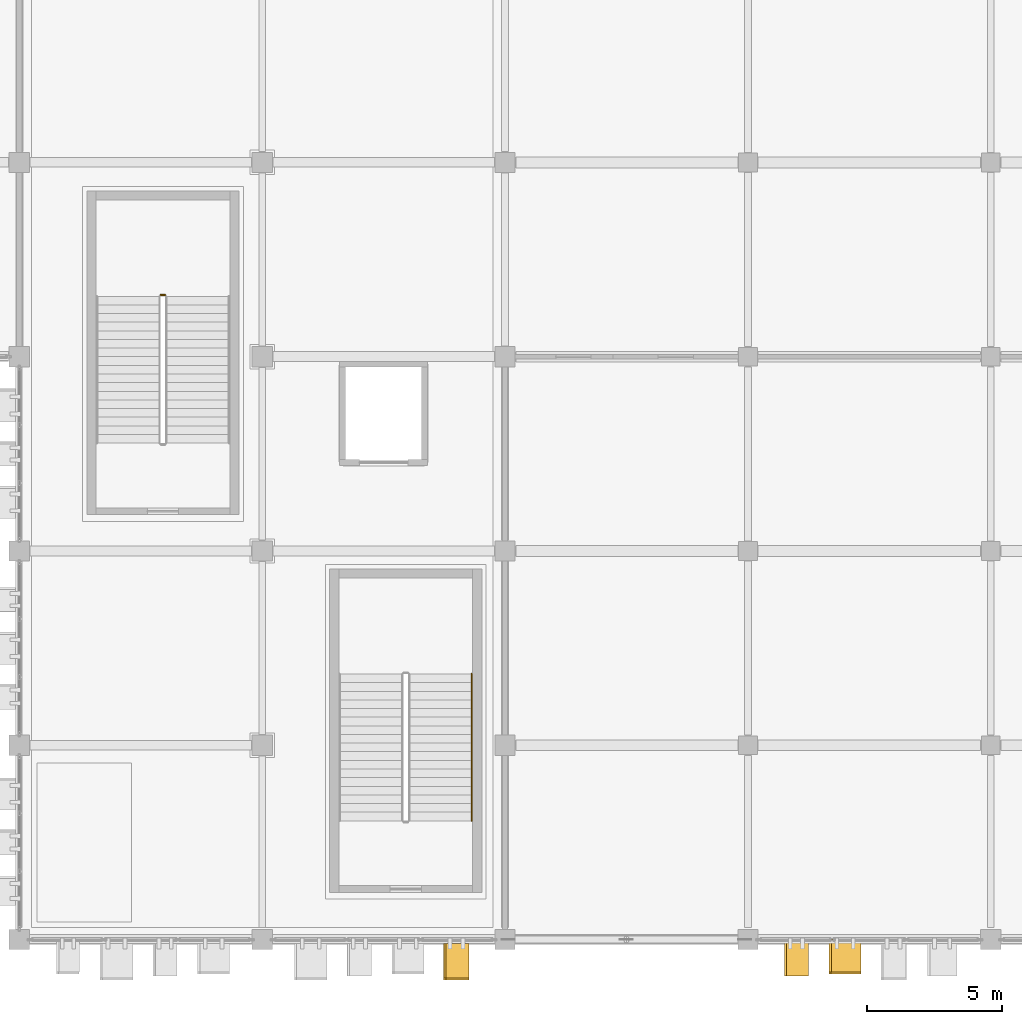
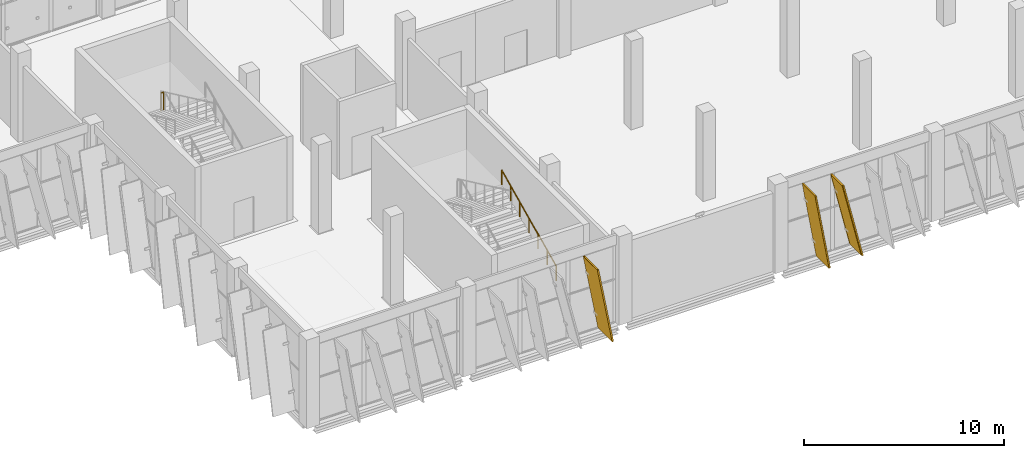
# One storey, part 167 of 189: 3 coverings, 3 shading devices, 2 railings.
"""IFC4 building model written with IfcOpenShell, lengths in metres."""

from ifc_helpers import new_model, si_unit, direction, frame, origin, origin_2d, place, context, subcontext, project, spatial, rectangle, circle, extrude, material, layer, layer_set, material_profile, profile_set, type_object, element, save


model = new_model("IFC4")

# Units and contexts
model_context = context("Model", 3, precision=1e-05, world=origin(), true_north=direction((0.0, 1.0)))
body_context = subcontext(model_context, "Body", "Model", "MODEL_VIEW")
ifc_project = project(units=[si_unit("LENGTHUNIT", "METRE"), si_unit("AREAUNIT", "SQUARE_METRE"), si_unit("VOLUMEUNIT", "CUBIC_METRE"), si_unit("PLANEANGLEUNIT", "RADIAN"), si_unit("MASSUNIT", "GRAM", prefix="KILO")], contexts=[model_context])

# Site, building, storey
site_placement = place(None, origin())
site = spatial("IfcSite", under=ifc_project, at=site_placement, CompositionType="ELEMENT")
building_placement = place(site_placement, origin())
building = spatial("IfcBuilding", under=site, at=building_placement, Name="Celestram Park Convention Centre", CompositionType="ELEMENT")
storey_placement = place(building_placement, frame((0.0, 0.0, 5.39990234375)))
storey = spatial("IfcBuildingStorey", under=building, at=storey_placement, Name="L01", CompositionType="ELEMENT", Elevation=5.39990234375)

# Coverings
ifc_material_1 = material(Name="Timber-Toned Anodised Aluminium Alloy 6063-T6", Category="wood")
ifc_material_profile_1 = material_profile(ifc_material_1, rectangle(XDim=1.1201171875, YDim=0.090087890625, at=origin_2d()), Name="REED1120X90")
ifc_profile_set_1 = profile_set([ifc_material_profile_1], Name="Timber-Toned Anodised Aluminium Alloy 6063-T6")
covering_type_1 = type_object("IfcCoveringType", Name="ARC-COV-FIN1120", PredefinedType="CLADDING", material=ifc_profile_set_1)
covering_1_placement = place(storey_placement, frame((175.15087890625, -0.639892578125, 0.06982421875), z_axis=(-0.231766325176, 0.0, 0.972771489361), x_axis=(0.0, -1.0, 0.0)))
element("IfcCovering", 1, at=covering_1_placement, inside=storey, type_object=covering_type_1, Name="Leaning timber-toned reed fin RFN-L01-0338", PredefinedType="CLADDING", context=body_context, shape_type="SweptSolid", body=[
    extrude(rectangle(XDim=1.1201171875, YDim=0.090087890625, at=origin_2d()), origin(), (0.0, 0.0, 1.0), 4.75390625),
])
ifc_material_profile_2 = material_profile(ifc_material_1, rectangle(XDim=1.280029296875, YDim=0.090087890625, at=origin_2d()), Name="REED1280X90")
ifc_profile_set_2 = profile_set([ifc_material_profile_2], Name="Timber-Toned Anodised Aluminium Alloy 6063-T6")
covering_type_2 = type_object("IfcCoveringType", Name="ARC-COV-FIN1280", PredefinedType="CLADDING", material=ifc_profile_set_2)
covering_2_placement = place(storey_placement, frame((173.20458984375, -0.719970703125, 0.039794921875), z_axis=(-0.170192389469, 0.0, 0.985410853688), x_axis=(0.0, -1.0, 0.0)))
element("IfcCovering", 2, at=covering_2_placement, inside=storey, type_object=covering_type_2, Name="Leaning timber-toned reed fin RFN-L01-0339", PredefinedType="CLADDING", context=body_context, shape_type="SweptSolid", body=[
    extrude(rectangle(XDim=1.280029296875, YDim=0.090087890625, at=origin_2d()), origin(), (0.0, 0.0, 1.0), 4.75390625),
])
ifc_material_profile_3 = material_profile(ifc_material_1, rectangle(XDim=1.419921875, YDim=0.090087890625, at=origin_2d()), Name="REED1420X90")
ifc_profile_set_3 = profile_set([ifc_material_profile_3], Name="Timber-Toned Anodised Aluminium Alloy 6063-T6")
covering_type_3 = type_object("IfcCoveringType", Name="ARC-COV-FIN1420", PredefinedType="CLADDING", material=ifc_profile_set_3)
covering_3_placement = place(storey_placement, frame((160.629150390625, -0.7900390625, 0.044189453125), z_axis=(-0.180516672672, 0.0, 0.983571924613), x_axis=(0.0, -1.0, 0.0)))
element("IfcCovering", 3, at=covering_3_placement, inside=storey, type_object=covering_type_3, Name="Leaning timber-toned reed fin RFN-L01-0340", PredefinedType="CLADDING", context=body_context, shape_type="SweptSolid", body=[
    extrude(rectangle(XDim=1.419921875, YDim=0.090087890625, at=origin_2d()), origin(), (0.0, 0.0, 1.0), 4.75390625),
])

# Shading devices
ifc_material_2 = material(Name="Anodised Bronze Aluminium Alloy 6063-T6", Category="aluminium")
ifc_material_profile_4 = material_profile(ifc_material_2, rectangle(XDim=1.280029296875, YDim=0.080078125, at=origin_2d()), Name="FIN1280X80")
ifc_profile_set_4 = profile_set([ifc_material_profile_4], Name="Anodised Bronze Aluminium Alloy 6063-T6")
shading_device_type = type_object("IfcShadingDeviceType", Name="ARC-FIN-BZ1280", PredefinedType="USERDEFINED", material=ifc_profile_set_4)
for number, where, z_axis, x_axis, name in (
    (4, (175.15087890625, -0.639892578125, 0.06982421875), (-0.231766325176, 0.0, 0.972771489361), (0.0, -1.0, 0.0), "Expressive solar fin FN-L01-0338"),
    (5, (173.20458984375, -0.719970703125, 0.039794921875), (-0.170192389469, 0.0, 0.985410853688), (0.0, -1.0, 0.0), "Expressive solar fin FN-L01-0339"),
    (6, (160.629150390625, -0.7900390625, 0.044189453125), (-0.180516672672, 0.0, 0.983571924613), (0.0, -1.0, 0.0), "Expressive solar fin FN-L01-0340"),
):
    element("IfcShadingDevice", number, at=place(storey_placement, frame(where, z_axis=z_axis, x_axis=x_axis)), inside=storey, type_object=shading_device_type, Name=name, ObjectType="SOLAR_FIN", PredefinedType="USERDEFINED", context=body_context, shape_type="SweptSolid", body=[
        extrude(rectangle(XDim=1.280029296875, YDim=0.080078125, at=origin_2d()), origin(), (0.0, 0.0, 1.0), 4.75390625),
    ])

# Railings
ifc_material_3 = material(Name="Stainless Steel AISI 316L & Laminated Glass", Category="steel")
ifc_layer_1 = layer(ifc_material_3, 0.06005859375)
ifc_layer_set_1 = layer_set([ifc_layer_1], Name="Stainless Steel AISI 316L & Laminated Glass")
railing_type_1 = type_object("IfcRailingType", Name="ARC-RL-GRD1120", PredefinedType="GUARDRAIL", material=ifc_layer_set_1)
railing_1_placement = place(storey_placement, frame((149.39990234375, 23.889892578125, 2.7001953125)))
element("IfcRailing", 7, at=railing_1_placement, inside=storey, type_object=railing_type_1, Name="L01 ST-06 stair guard 2", PredefinedType="GUARDRAIL", context=body_context, shape_type="SweptSolid", body=[
    extrude(circle(Radius=0.02392578125, at=origin_2d()), frame((0.0, 0.0, 1.09619140625), z_axis=(-1.0, 0.0, 0.0), x_axis=(0.0, -1.0, 0.0)), (0.0, 0.0, 1.0), 0.159912109375),
    extrude(circle(Radius=0.02099609375, at=origin_2d()), origin(), (0.0, 0.0, 1.0), 1.072021484375),
    extrude(circle(Radius=0.02099609375, at=origin_2d()), frame((-0.159912109375, 0.0, 0.0)), (0.0, 0.0, 1.0), 1.072021484375),
])
ifc_material_4 = material(Name="Brushed Stainless Steel AISI 304", Category="steel")
ifc_layer_2 = layer(ifc_material_4, 0.048095703125)
ifc_layer_set_2 = layer_set([ifc_layer_2], Name="Brushed Stainless Steel AISI 304")
railing_type_2 = type_object("IfcRailingType", Name="ARC-RL-HND915", PredefinedType="HANDRAIL", material=ifc_layer_set_2)
railing_2_placement = place(storey_placement, frame((160.763916015625, 4.39990234375, 0.150146484375)))
element("IfcRailing", 8, at=railing_2_placement, inside=storey, type_object=railing_type_2, Name="L01 ST-21 stair handrail 1", PredefinedType="HANDRAIL", context=body_context, shape_type="SweptSolid", body=[
    extrude(circle(Radius=0.02392578125, at=origin_2d()), frame((0.0, 0.0, 0.8759765625), z_axis=(0.0, 0.905461375974, 0.424428670827), x_axis=(-1.0, 0.0, 0.0)), (0.0, 0.0, 1.0), 6.00830078125),
    extrude(circle(Radius=0.02099609375, at=origin_2d()), origin(), (0.0, 0.0, 1.0), 0.851806640625),
    extrude(circle(Radius=0.02099609375, at=origin_2d()), frame((0.0, 0.90673828125, 0.425048828125)), (0.0, 0.0, 1.0), 0.851806640625),
    extrude(circle(Radius=0.02099609375, at=origin_2d()), frame((0.0, 1.8134765625, 0.85009765625)), (0.0, 0.0, 1.0), 0.851806640625),
    extrude(circle(Radius=0.02099609375, at=origin_2d()), frame((0.0, 2.72021484375, 1.27490234375)), (0.0, 0.0, 1.0), 0.851806640625),
    extrude(circle(Radius=0.02099609375, at=origin_2d()), frame((0.0, 3.626708984375, 1.699951171875)), (0.0, 0.0, 1.0), 0.851806640625),
    extrude(circle(Radius=0.02099609375, at=origin_2d()), frame((0.0, 4.533447265625, 2.125)), (0.0, 0.0, 1.0), 0.851806640625),
    extrude(circle(Radius=0.02099609375, at=origin_2d()), frame((0.0, 5.440185546875, 2.550048828125)), (0.0, 0.0, 1.0), 0.851806640625),
])

save(model, "model.ifc")
